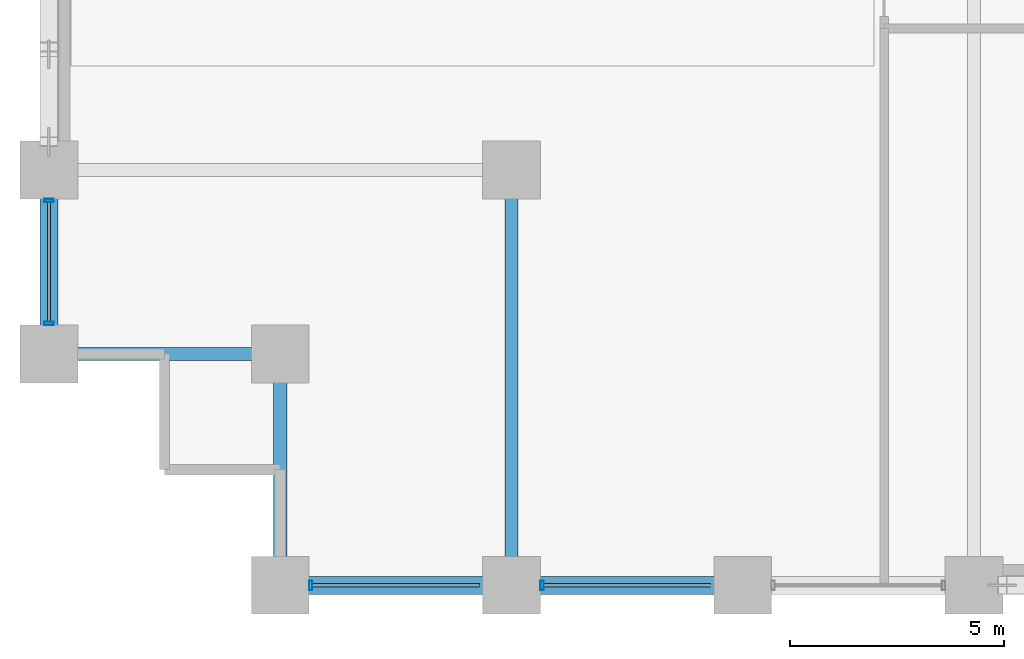
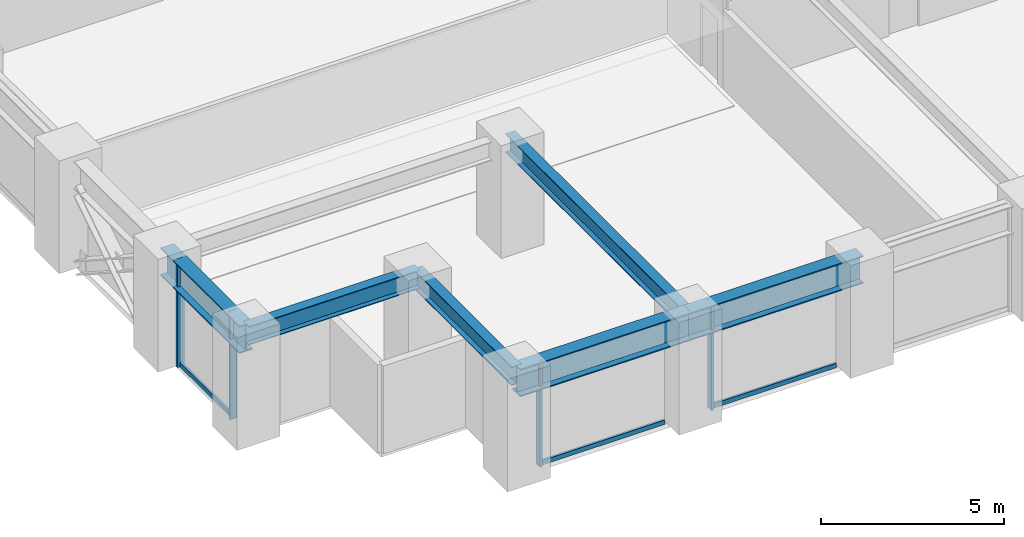
# One storey, part 2 of 25: 7 members, 6 beams, 2 elements without a shape of their own.
"""IFC4 building model written with IfcOpenShell, lengths in metres."""

from ifc_helpers import new_model, si_unit, direction, frame, origin, origin_2d, place, context, subcontext, project, spatial, hollow_rectangle, i_section, extrude, material, layer, layer_set, material_profile, profile_set, type_object, element, aggregate, save


model = new_model("IFC4")

# Units and contexts
model_context = context("Model", 3, precision=1e-05, world=origin(), true_north=direction((0.0, 1.0)))
body_context = subcontext(model_context, "Body", "Model", "MODEL_VIEW")
ifc_project = project(units=[si_unit("LENGTHUNIT", "METRE"), si_unit("AREAUNIT", "SQUARE_METRE"), si_unit("VOLUMEUNIT", "CUBIC_METRE"), si_unit("PLANEANGLEUNIT", "RADIAN"), si_unit("MASSUNIT", "GRAM", prefix="KILO")], contexts=[model_context])

# Site, building, storey
site_placement = place(None, origin())
site = spatial("IfcSite", under=ifc_project, at=site_placement, CompositionType="ELEMENT")
building_placement = place(site_placement, origin())
building = spatial("IfcBuilding", under=site, at=building_placement, Name="Surkhivell Harbour Commons", CompositionType="ELEMENT")
storey_placement = place(building_placement, frame((0.0, 0.0, 52.5)))
storey = spatial("IfcBuildingStorey", under=building, at=storey_placement, Name="L13", CompositionType="ELEMENT", Elevation=52.5)

# Beams
ifc_material_1 = material(Name="Steel S355", Category="steel")
ifc_material_profile_1 = material_profile(ifc_material_1, i_section(OverallWidth=0.306884765625, OverallDepth=0.6201171875, WebThickness=0.01416015625, FlangeThickness=0.023681640625, at=origin_2d()), Name="UB610x305x179")
ifc_profile_set_1 = profile_set([ifc_material_profile_1], Name="Steel S355")
beam_type_1 = type_object("IfcBeamType", Name="BM-GRD-610A", PredefinedType="BEAM", material=ifc_profile_set_1)
for number, where, z_axis, x_axis, name in (
    (1, (-32.39990234375, -20.5, 3.260009765625), (1.0, 0.0, 0.0), (0.0, 1.0, 0.0), "L13 Floor Girder (-32.4,-20.5)"),
    (2, (-27.0, -25.89990234375, 3.260009765625), (0.0, 1.0, 0.0), (-1.0, 0.0, 0.0), "L13 Floor Girder (-27.0,-25.9)"),
):
    element("IfcBeam", number, at=place(storey_placement, frame(where, z_axis=z_axis, x_axis=x_axis)), inside=storey, type_object=beam_type_1, Name=name, PredefinedType="BEAM", context=body_context, shape_type="SweptSolid", body=[
        extrude(i_section(OverallWidth=0.306884765625, OverallDepth=0.6201171875, WebThickness=0.01416015625, FlangeThickness=0.023681640625, at=origin_2d()), origin(), (0.0, 0.0, 1.0), 5.39990234375),
    ])
beam_1_placement = place(storey_placement, frame((-21.60009765625, -25.89990234375, 3.260009765625), z_axis=(0.0, 1.0, 0.0), x_axis=(-1.0, 0.0, 0.0)))
element("IfcBeam", 3, at=beam_1_placement, inside=storey, type_object=beam_type_1, Name="L13 Floor Girder (-21.6,-25.9)", PredefinedType="BEAM", context=body_context, shape_type="SweptSolid", body=[
    extrude(i_section(OverallWidth=0.306884765625, OverallDepth=0.6201171875, WebThickness=0.01416015625, FlangeThickness=0.023681640625, at=origin_2d()), origin(), (0.0, 0.0, 1.0), 9.699951171875),
])
ifc_material_2 = material(Name="Steel S460", Category="steel")
ifc_material_profile_2 = material_profile(ifc_material_2, i_section(OverallWidth=0.419921875, OverallDepth=0.9208984375, WebThickness=0.021484375, FlangeThickness=0.03662109375, at=origin_2d()), Name="UB914x419x388")
ifc_profile_set_2 = profile_set([ifc_material_profile_2], Name="Steel S460")
beam_type_2 = type_object("IfcBeamType", Name="BM-SPN-914A", PredefinedType="SPANDREL", material=ifc_profile_set_2)
beam_2_placement = place(storey_placement, frame((-32.39990234375, -20.5, 3.109619140625), z_axis=(0.0, 1.0, 0.0), x_axis=(-1.0, 0.0, 0.0)))
element("IfcBeam", 4, at=beam_2_placement, inside=storey, type_object=beam_type_2, Name="L13 Tube Spandrel (-32.4,-20.5)", PredefinedType="SPANDREL", context=body_context, shape_type="SweptSolid", body=[
    extrude(i_section(OverallWidth=0.419921875, OverallDepth=0.9208984375, WebThickness=0.021484375, FlangeThickness=0.03662109375, at=origin_2d()), origin(), (0.0, 0.0, 1.0), 4.300048828125),
])
beam_3_placement = place(storey_placement, frame((-27.0, -25.89990234375, 3.109619140625), z_axis=(1.0, 0.0, 0.0), x_axis=(0.0, 1.0, 0.0)))
element("IfcBeam", 5, at=beam_3_placement, inside=storey, type_object=beam_type_2, Name="L13 Tube Spandrel (-27.0,-25.9)", PredefinedType="SPANDREL", context=body_context, shape_type="SweptSolid", body=[
    extrude(i_section(OverallWidth=0.419921875, OverallDepth=0.9208984375, WebThickness=0.021484375, FlangeThickness=0.03662109375, at=origin_2d()), origin(), (0.0, 0.0, 1.0), 5.39990234375),
])
beam_4_placement = place(storey_placement, frame((-21.60009765625, -25.89990234375, 3.109619140625), z_axis=(1.0, 0.0, 0.0), x_axis=(0.0, 1.0, 0.0)))
element("IfcBeam", 6, at=beam_4_placement, inside=storey, type_object=beam_type_2, Name="L13 Tube Spandrel (-21.6,-25.9)", PredefinedType="SPANDREL", context=body_context, shape_type="SweptSolid", body=[
    extrude(i_section(OverallWidth=0.419921875, OverallDepth=0.9208984375, WebThickness=0.021484375, FlangeThickness=0.03662109375, at=origin_2d()), origin(), (0.0, 0.0, 1.0), 5.400146484375),
])

# Curtain wall, members
ifc_material_3 = material(Name="Anodised pale-metal aluminium and insulated glazing", Category="aluminium")
ifc_layer = layer(ifc_material_3, 0.219970703125)
ifc_layer_set = layer_set([ifc_layer], Name="Anodised pale-metal aluminium and insulated glazing")
curtain_wall_type = type_object("IfcCurtainWallType", Name="CW-SYS-Z1", PredefinedType="NOTDEFINED", material=ifc_layer_set)
curtain_wall_1_placement = place(storey_placement, origin())
curtain_wall_1 = element("IfcCurtainWall", 7, at=curtain_wall_1_placement, inside=storey, type_object=curtain_wall_type, Name="L13 Curtain Wall CW-L13-E00S1", PredefinedType="NOTDEFINED")
ifc_material_4 = material(Name="Anodised pale-metal aluminium alloy 6063-T6", Category="aluminium")
ifc_material_profile_3 = material_profile(ifc_material_4, hollow_rectangle(XDim=0.074951171875, YDim=0.219970703125, WallThickness=0.00390625, at=origin_2d()), Name="ALU-MULL-75x220")
ifc_profile_set_3 = profile_set([ifc_material_profile_3], Name="Anodised pale-metal aluminium alloy 6063-T6")
member_type_1 = type_object("IfcMemberType", Name="CWM-220", PredefinedType="MULLION", material=ifc_profile_set_3)
member_1_placement = place(storey_placement, frame((-26.285400390625, -25.89990234375, 0.0), z_axis=(0.0, 0.0, 1.0), x_axis=(1.0, 0.0, 0.0)))
member_1 = element("IfcMember", 8, at=member_1_placement, type_object=member_type_1, Name="CW-Z1 mullion 1", PredefinedType="MULLION", context=body_context, shape_type="SweptSolid", body=[
    extrude(hollow_rectangle(XDim=0.074951171875, YDim=0.219970703125, WallThickness=0.00390625, at=origin_2d()), origin(), (0.0, 0.0, 1.0), 3.570068359375),
])
member_2_placement = place(storey_placement, frame((-20.885498046875, -25.89990234375, 0.0), z_axis=(0.0, 0.0, 1.0), x_axis=(1.0, 0.0, 0.0)))
member_2 = element("IfcMember", 9, at=member_2_placement, type_object=member_type_1, Name="CW-Z1 mullion 2", PredefinedType="MULLION", context=body_context, shape_type="SweptSolid", body=[
    extrude(hollow_rectangle(XDim=0.074951171875, YDim=0.219970703125, WallThickness=0.00390625, at=origin_2d()), origin(), (0.0, 0.0, 1.0), 3.570068359375),
])

curtain_wall_2_placement = place(storey_placement, origin())
curtain_wall_2 = element("IfcCurtainWall", 10, at=curtain_wall_2_placement, inside=storey, type_object=curtain_wall_type, Name="L13 Curtain Wall CW-L13-E12S2", PredefinedType="NOTDEFINED")
member_3_placement = place(storey_placement, frame((-32.39990234375, -16.91455078125, 0.0), z_axis=(0.0, 0.0, 1.0), x_axis=(0.0, -1.0, 0.0)))
member_3 = element("IfcMember", 11, at=member_3_placement, type_object=member_type_1, Name="CW-Z1 mullion 1", PredefinedType="MULLION", context=body_context, shape_type="SweptSolid", body=[
    extrude(hollow_rectangle(XDim=0.074951171875, YDim=0.219970703125, WallThickness=0.00390625, at=origin_2d()), origin(), (0.0, 0.0, 1.0), 3.570068359375),
])
member_4_placement = place(storey_placement, frame((-32.39990234375, -19.785400390625, 0.0), z_axis=(0.0, 0.0, 1.0), x_axis=(0.0, -1.0, 0.0)))
member_4 = element("IfcMember", 12, at=member_4_placement, type_object=member_type_1, Name="CW-Z1 mullion 2", PredefinedType="MULLION", context=body_context, shape_type="SweptSolid", body=[
    extrude(hollow_rectangle(XDim=0.074951171875, YDim=0.219970703125, WallThickness=0.00390625, at=origin_2d()), origin(), (0.0, 0.0, 1.0), 3.570068359375),
])

# Member
ifc_material_profile_4 = material_profile(ifc_material_4, hollow_rectangle(XDim=0.074951171875, YDim=0.14990234375, WallThickness=0.00341796875, at=origin_2d()), Name="ALU-TRAN-75x150")
ifc_profile_set_4 = profile_set([ifc_material_profile_4], Name="Anodised pale-metal aluminium alloy 6063-T6")
member_type_2 = type_object("IfcMemberType", Name="CWT-150", PredefinedType="USERDEFINED", material=ifc_profile_set_4)
member_5_placement = place(storey_placement, frame((-26.248046875, -25.89990234375, 0.074951171875), z_axis=(1.0, 0.0, 0.0), x_axis=(0.0, 1.0, 0.0)))
member_5 = element("IfcMember", 13, at=member_5_placement, type_object=member_type_2, Name="CW-Z1 transom 1.1", ObjectType="TRANSOM", PredefinedType="USERDEFINED", context=body_context, shape_type="SweptSolid", body=[
    extrude(hollow_rectangle(XDim=0.074951171875, YDim=0.14990234375, WallThickness=0.00341796875, at=origin_2d()), origin(), (0.0, 0.0, 1.0), 3.89599609375),
])

member_6_placement = place(storey_placement, frame((-20.847900390625, -25.89990234375, 0.074951171875), z_axis=(1.0, 0.0, 0.0), x_axis=(0.0, 1.0, 0.0)))
member_6 = element("IfcMember", 14, at=member_6_placement, type_object=member_type_2, Name="CW-Z1 transom 2.1", ObjectType="TRANSOM", PredefinedType="USERDEFINED", context=body_context, shape_type="SweptSolid", body=[
    extrude(hollow_rectangle(XDim=0.074951171875, YDim=0.14990234375, WallThickness=0.00341796875, at=origin_2d()), origin(), (0.0, 0.0, 1.0), 3.89599609375),
])

aggregate(curtain_wall_1, [member_1, member_5, member_2, member_6])

member_7_placement = place(storey_placement, frame((-32.39990234375, -16.951904296875, 0.074951171875), z_axis=(0.0, -1.0, 0.0), x_axis=(1.0, 0.0, 0.0)))
member_7 = element("IfcMember", 15, at=member_7_placement, type_object=member_type_2, Name="CW-Z1 transom 1.1", ObjectType="TRANSOM", PredefinedType="USERDEFINED", context=body_context, shape_type="SweptSolid", body=[
    extrude(hollow_rectangle(XDim=0.074951171875, YDim=0.14990234375, WallThickness=0.00341796875, at=origin_2d()), origin(), (0.0, 0.0, 1.0), 2.796142578125),
])

aggregate(curtain_wall_2, [member_3, member_4, member_7])

save(model, "model.ifc")
